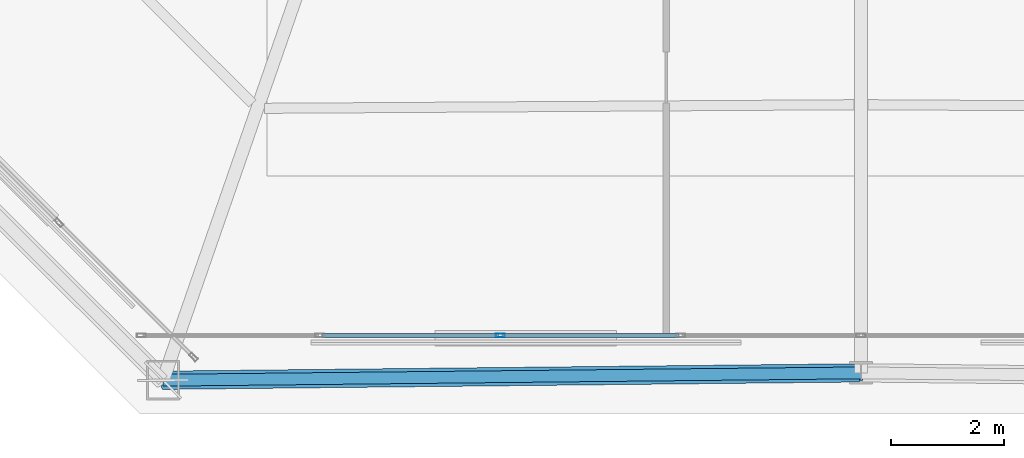
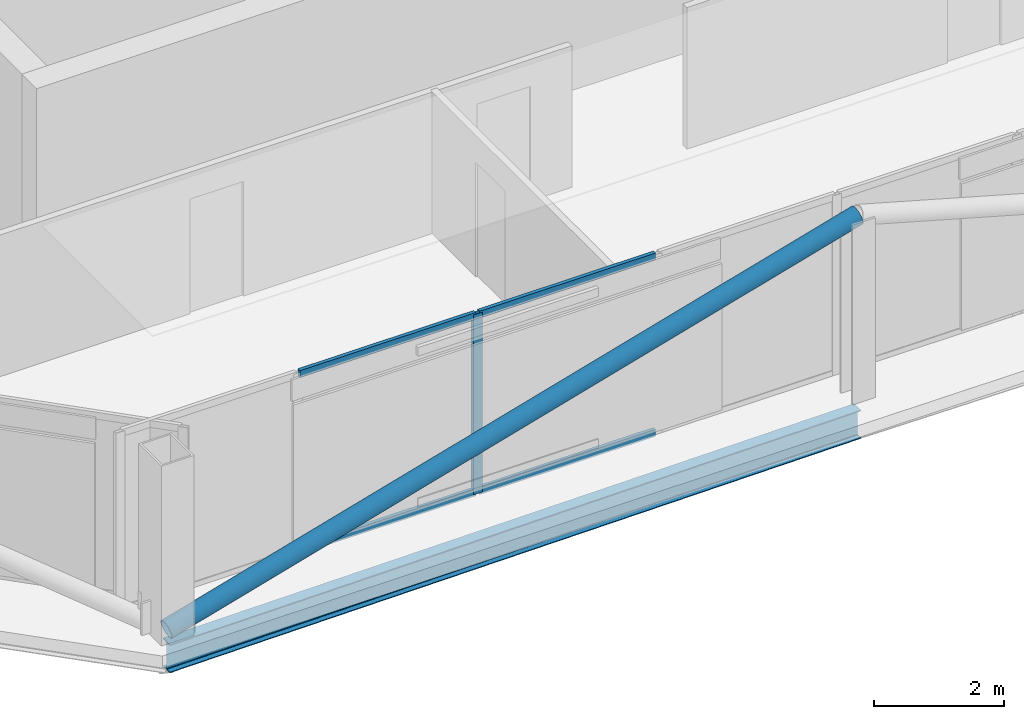
# One storey, part 3 of 26: 6 members, 1 beam, 1 element without a shape of its own.
"""IFC4 building model written with IfcOpenShell, lengths in metres."""

from ifc_helpers import new_model, si_unit, direction, frame, origin, origin_2d, place, context, subcontext, project, spatial, hollow_rectangle, hollow_circle, i_section, extrude, material, layer, layer_set, material_profile, profile_set, type_object, element, aggregate, save


model = new_model("IFC4")

# Units and contexts
model_context = context("Model", 3, precision=1e-05, world=origin(), true_north=direction((0.0, 1.0)))
body_context = subcontext(model_context, "Body", "Model", "MODEL_VIEW")
ifc_project = project(units=[si_unit("LENGTHUNIT", "METRE"), si_unit("AREAUNIT", "SQUARE_METRE"), si_unit("VOLUMEUNIT", "CUBIC_METRE"), si_unit("PLANEANGLEUNIT", "RADIAN"), si_unit("MASSUNIT", "GRAM", prefix="KILO")], contexts=[model_context])

# Site, building, storey
site_placement = place(None, origin())
site = spatial("IfcSite", under=ifc_project, at=site_placement, CompositionType="ELEMENT")
building_placement = place(site_placement, origin())
building = spatial("IfcBuilding", under=site, at=building_placement, Name="Caelvoria Tower", CompositionType="ELEMENT")
storey_placement = place(building_placement, frame((0.0, 0.0, 239.39990234375)))
storey = spatial("IfcBuildingStorey", under=building, at=storey_placement, Name="L63", CompositionType="ELEMENT", Elevation=239.39990234375)

# Curtain wall, members
ifc_material_1 = material(Name="Anodised Bronze Aluminium and Low-E Glass", Category="aluminium")
ifc_layer = layer(ifc_material_1, 0.175048828125, Name="Anodised Bronze Aluminium and Low-E Glass")
ifc_layer_set = layer_set([ifc_layer], Name="CW System 4 High-Zone Tapered Crystal Facade - Anodised Bronze Aluminium and Low-E Glass")
curtain_wall_type = type_object("IfcCurtainWallType", Name="CW System 4 High-Zone Tapered Crystal Facade", PredefinedType="NOTDEFINED", material=ifc_layer_set)
curtain_wall_placement = place(storey_placement, origin())
curtain_wall = element("IfcCurtainWall", 1, at=curtain_wall_placement, inside=storey, type_object=curtain_wall_type, Name="CW-04 Curtain Wall L63-E0", PredefinedType="NOTDEFINED")
ifc_material_2 = material(Name="Anodised Bronze Architectural Aluminium", Category="aluminium")
ifc_material_profile_1 = material_profile(ifc_material_2, hollow_rectangle(XDim=0.06494140625, YDim=0.159912109375, WallThickness=0.00390625, at=origin_2d()), Name="Anodised Bronze Architectural Aluminium")
ifc_profile_set_1 = profile_set([ifc_material_profile_1], Name="CW_MULL_65X160 - Anodised Bronze Architectural Aluminium")
member_type_1 = type_object("IfcMemberType", Name="Curtain Wall Mullion 65x160 Bronze Aluminium", PredefinedType="MULLION", material=ifc_profile_set_1)
member_1_placement = place(storey_placement, frame((39.625, 15.179931640625, 0.0), z_axis=(0.0, 0.0, 1.0), x_axis=(0.0, 1.0, 0.0)))
member_1 = element("IfcMember", 2, at=member_1_placement, type_object=member_type_1, Name="CW-04 mullion 3", PredefinedType="MULLION", context=body_context, shape_type="SweptSolid", body=[
    extrude(hollow_rectangle(XDim=0.06494140625, YDim=0.159912109375, WallThickness=0.00390625, at=origin_2d()), origin(), (0.0, 0.0, 1.0), 3.375),
])
ifc_material_profile_2 = material_profile(ifc_material_2, hollow_rectangle(XDim=0.06494140625, YDim=0.1298828125, WallThickness=0.00341796875, at=origin_2d()), Name="Anodised Bronze Architectural Aluminium")
ifc_profile_set_2 = profile_set([ifc_material_profile_2], Name="CW_TRAN_65X130 - Anodised Bronze Architectural Aluminium")
member_type_2 = type_object("IfcMemberType", Name="Curtain Wall Transom 65x130 Bronze Aluminium", PredefinedType="USERDEFINED", material=ifc_profile_set_2)
member_2_placement = place(storey_placement, frame((36.469970703125, 15.179931640625, 0.03271484375), z_axis=(1.0, 0.0, 0.0), x_axis=(0.0, 1.0, 0.0)))
member_2 = element("IfcMember", 3, at=member_2_placement, type_object=member_type_2, Name="CW-04 transom 2.1", ObjectType="TRANSOM", PredefinedType="USERDEFINED", context=body_context, shape_type="SweptSolid", body=[
    extrude(hollow_rectangle(XDim=0.06494140625, YDim=0.1298828125, WallThickness=0.00341796875, at=origin_2d()), origin(), (0.0, 0.0, 1.0), 3.12255859375),
])
member_3_placement = place(storey_placement, frame((36.469970703125, 15.179931640625, 3.342529296875), z_axis=(1.0, 0.0, 0.0), x_axis=(0.0, 1.0, 0.0)))
member_3 = element("IfcMember", 4, at=member_3_placement, type_object=member_type_2, Name="CW-04 transom 2.2", ObjectType="TRANSOM", PredefinedType="USERDEFINED", context=body_context, shape_type="SweptSolid", body=[
    extrude(hollow_rectangle(XDim=0.06494140625, YDim=0.1298828125, WallThickness=0.00341796875, at=origin_2d()), origin(), (0.0, 0.0, 1.0), 3.12255859375),
])
member_4_placement = place(storey_placement, frame((39.657470703125, 15.179931640625, 0.03271484375), z_axis=(1.0, 0.0, 0.0), x_axis=(0.0, 1.0, 0.0)))
member_4 = element("IfcMember", 5, at=member_4_placement, type_object=member_type_2, Name="CW-04 transom 3.1", ObjectType="TRANSOM", PredefinedType="USERDEFINED", context=body_context, shape_type="SweptSolid", body=[
    extrude(hollow_rectangle(XDim=0.06494140625, YDim=0.1298828125, WallThickness=0.00341796875, at=origin_2d()), origin(), (0.0, 0.0, 1.0), 3.12255859375),
])
member_5_placement = place(storey_placement, frame((39.657470703125, 15.179931640625, 3.342529296875), z_axis=(1.0, 0.0, 0.0), x_axis=(0.0, 1.0, 0.0)))
member_5 = element("IfcMember", 6, at=member_5_placement, type_object=member_type_2, Name="CW-04 transom 3.2", ObjectType="TRANSOM", PredefinedType="USERDEFINED", context=body_context, shape_type="SweptSolid", body=[
    extrude(hollow_rectangle(XDim=0.06494140625, YDim=0.1298828125, WallThickness=0.00341796875, at=origin_2d()), origin(), (0.0, 0.0, 1.0), 3.12255859375),
])
aggregate(curtain_wall, [member_1, member_2, member_3, member_4, member_5])

# Member
ifc_material_3 = material(Name="Structural Steel ASTM A572 Gr.50", Category="steel")
ifc_material_profile_3 = material_profile(ifc_material_3, hollow_circle(Radius=0.162109375, WallThickness=0.0126953125, at=origin_2d()), Name="Structural Steel ASTM A572 Gr.50")
ifc_profile_set_3 = profile_set([ifc_material_profile_3], Name="CHS324X12.7 - Structural Steel ASTM A572 Gr.50")
member_type_3 = type_object("IfcMemberType", Name="Summit Perimeter Mega Brace CHS324X12.7", PredefinedType="BRACE", material=ifc_profile_set_3)
member_6_placement = place(storey_placement, frame((33.6630859375, 14.3896484375, 0.0), z_axis=(0.964507270463, 0.01019248956, 0.263859505004), x_axis=(-0.010566971141, 0.999944168002, 0.0)))
element("IfcMember", 7, at=member_6_placement, inside=storey, type_object=member_type_3, Name="Perimeter Cardinal Mega Brace L63 SA", PredefinedType="BRACE", context=body_context, shape_type="SweptSolid", body=[
    extrude(hollow_circle(Radius=0.162109375, WallThickness=0.0126953125, at=origin_2d()), origin(), (0.0, 0.0, 1.0), 12.791015625),
])

# Beam
ifc_material_4 = material(Name="Structural Steel ASTM A992 Gr.50", Category="steel")
ifc_material_profile_4 = material_profile(ifc_material_4, i_section(OverallWidth=0.208984375, OverallDepth=0.532958984375, WebThickness=0.01025390625, FlangeThickness=0.015625, FilletRadius=0.01611328125, at=origin_2d()), Name="Structural Steel ASTM A992 Gr.50")
ifc_profile_set_4 = profile_set([ifc_material_profile_4], Name="W530X92 - Structural Steel ASTM A992 Gr.50")
beam_type = type_object("IfcBeamType", Name="Upper Zone Spandrel W530X92", PredefinedType="BEAM", material=ifc_profile_set_4)
beam_placement = place(storey_placement, frame((33.6630859375, 14.3896484375, -0.491455078125), z_axis=(0.999944168002, 0.010566971141, 0.0), x_axis=(-0.010566971141, 0.999944168002, 0.0)))
element("IfcBeam", 8, at=beam_placement, inside=storey, type_object=beam_type, Name="Perimeter Spandrel Girder L63-00", PredefinedType="BEAM", context=body_context, shape_type="SweptSolid", body=[
    extrude(i_section(OverallWidth=0.208984375, OverallDepth=0.532958984375, WebThickness=0.01025390625, FlangeThickness=0.015625, FilletRadius=0.01611328125, at=origin_2d()), origin(), (0.0, 0.0, 1.0), 12.337646484375),
])

save(model, "model.ifc")
